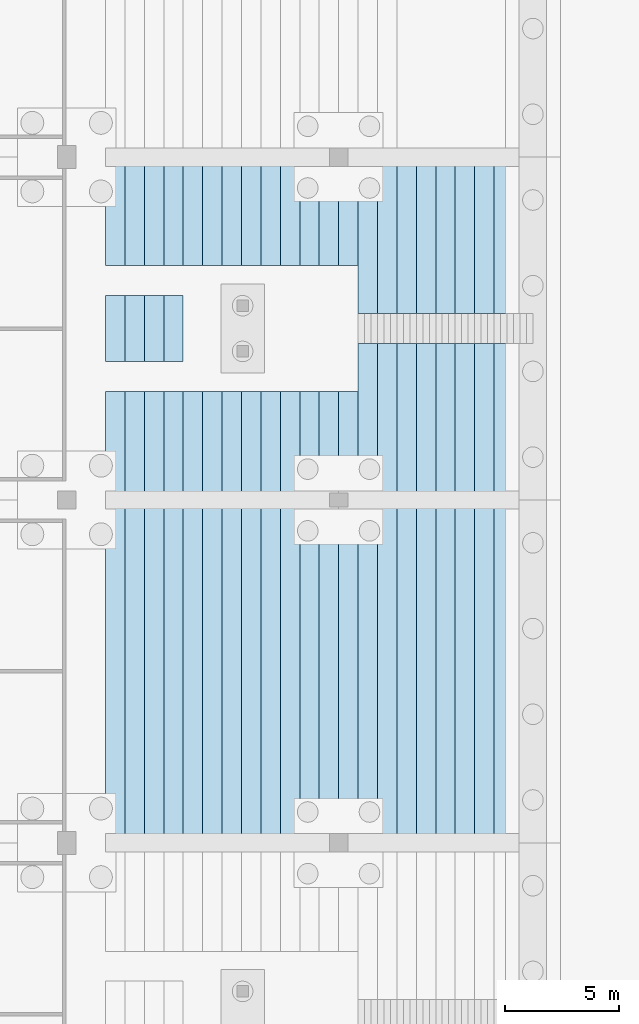
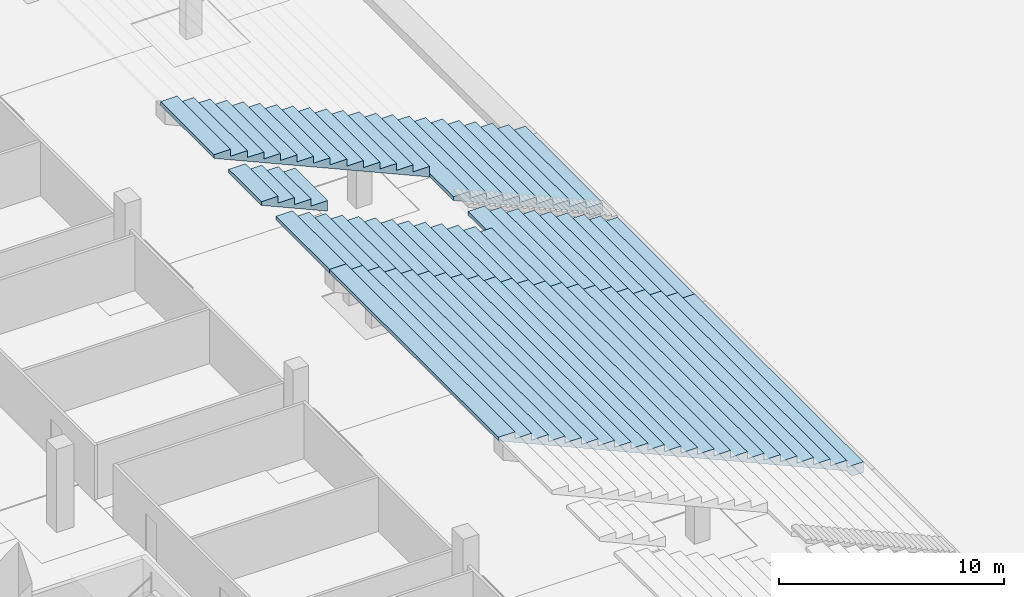
# One storey, part 48 of 115: 2 slabs.
"""IFC4 building model written with IfcOpenShell, lengths in metres."""

from ifc_helpers import new_model, si_unit, direction, frame, origin, place, context, subcontext, project, spatial, faceted_brep, material, layer, layer_set, type_object, element, save


model = new_model("IFC4")

# Units and contexts
model_context = context("Model", 3, precision=1e-05, world=origin(), true_north=direction((0.0, 1.0)))
body_context = subcontext(model_context, "Body", "Model", "MODEL_VIEW")
ifc_project = project(units=[si_unit("LENGTHUNIT", "METRE"), si_unit("AREAUNIT", "SQUARE_METRE"), si_unit("VOLUMEUNIT", "CUBIC_METRE"), si_unit("PLANEANGLEUNIT", "RADIAN"), si_unit("MASSUNIT", "GRAM", prefix="KILO")], contexts=[model_context])

# Site, building, storey
site_placement = place(None, origin())
site = spatial("IfcSite", under=ifc_project, at=site_placement, CompositionType="ELEMENT")
building_placement = place(site_placement, origin())
building = spatial("IfcBuilding", under=site, at=building_placement, Name="Ogive Plaza Stadium", CompositionType="ELEMENT")
storey_placement = place(building_placement, frame((0.0, 0.0, -4.5)))
storey = spatial("IfcBuildingStorey", under=building, at=storey_placement, Name="B1", CompositionType="ELEMENT", Elevation=-4.5)

# Slabs
ifc_material = material(Name="Concrete C45/55 precast", Category="concrete")
ifc_layer = layer(ifc_material, 0.574951171875)
ifc_layer_set = layer_set([ifc_layer], Name="Concrete C45/55 precast")
slab_type = type_object("IfcSlabType", Name="Seating tier LT 575", PredefinedType="USERDEFINED", material=ifc_layer_set)
slab_1_placement = place(storey_placement, origin())
element("IfcSlab", 1, at=slab_1_placement, inside=storey, type_object=slab_type, Name="Stand LT B22", ObjectType="SEATING TIER", PredefinedType="USERDEFINED", context=body_context, shape_type="Brep", body=[
    faceted_brep([(-41.5, -22.5, 1.125), (-42.10009765625, -22.5, 1.125), (-42.10009765625, -37.5, 1.125), (-41.5, -37.5, 1.125), (-42.35009765625, -22.5, 1.125), (-42.35009765625, -37.5, 1.125), (-42.10009765625, -22.5, 0.550048828125), (-41.5, -37.5, 0.550048828125), (-42.10009765625, -37.5, 0.550048828125), (-41.5, -22.5, 0.550048828125), (-42.35009765625, -37.5, 0.925048828125), (-42.35009765625, -37.5, 1.5), (-43.199951171875, -37.5, 1.5), (-43.199951171875, -37.5, 1.300048828125), (-43.199951171875, -37.5, 1.875), (-44.050048828125, -37.5, 1.875), (-44.050048828125, -37.5, 1.675048828125), (-44.050048828125, -37.5, 2.25), (-44.89990234375, -37.5, 2.25), (-44.89990234375, -37.5, 2.050048828125), (-44.89990234375, -37.5, 2.625), (-45.75, -37.5, 2.625), (-45.75, -37.5, 2.425048828125), (-45.75, -37.5, 3.0), (-46.60009765625, -37.5, 3.0), (-46.60009765625, -37.5, 2.800048828125), (-46.60009765625, -37.5, 3.375), (-47.449951171875, -37.5, 3.375), (-47.449951171875, -37.5, 3.175048828125), (-47.449951171875, -37.5, 3.75), (-48.300048828125, -37.5, 3.75), (-48.300048828125, -37.5, 3.550048828125), (-48.300048828125, -37.5, 4.125), (-49.14990234375, -37.5, 4.125), (-49.14990234375, -37.5, 3.925048828125), (-49.14990234375, -37.5, 4.5), (-50.0, -37.5, 4.5), (-50.0, -37.5, 4.300048828125), (-50.0, -37.5, 4.875), (-50.85009765625, -37.5, 4.875), (-50.85009765625, -37.5, 4.675048828125), (-50.85009765625, -37.5, 5.25), (-51.699951171875, -37.5, 5.25), (-51.699951171875, -37.5, 5.050048828125), (-51.699951171875, -37.5, 5.625), (-52.550048828125, -37.5, 5.625), (-52.550048828125, -37.5, 5.425048828125), (-52.550048828125, -37.5, 6.0), (-53.39990234375, -37.5, 6.0), (-53.39990234375, -37.5, 5.800048828125), (-53.39990234375, -37.5, 6.375), (-54.25, -37.5, 6.375), (-54.25, -37.5, 6.175048828125), (-54.25, -37.5, 6.75), (-55.10009765625, -37.5, 6.75), (-55.10009765625, -37.5, 6.550048828125), (-55.10009765625, -37.5, 7.125), (-55.949951171875, -37.5, 7.125), (-55.949951171875, -37.5, 6.925048828125), (-55.949951171875, -37.5, 7.5), (-56.800048828125, -37.5, 7.5), (-56.800048828125, -37.5, 7.300048828125), (-56.800048828125, -37.5, 7.875), (-57.64990234375, -37.5, 7.875), (-57.64990234375, -37.5, 7.675048828125), (-57.64990234375, -37.5, 8.25), (-58.5, -37.5, 8.25), (-58.5, -37.5, 8.050048828125), (-58.5, -37.5, 8.625), (-59.35009765625, -37.5, 8.625), (-59.35009765625, -37.5, 8.425048828125), (-59.35009765625, -37.5, 9.0), (-60.199951171875, -37.5, 9.0), (-60.199951171875, -37.5, 8.800048828125), (-42.35009765625, -22.5, 0.925048828125), (-43.199951171875, -22.5, 1.5), (-42.35009765625, -22.5, 1.5), (-43.199951171875, -22.5, 1.300048828125), (-44.050048828125, -22.5, 1.875), (-43.199951171875, -22.5, 1.875), (-44.050048828125, -22.5, 1.675048828125), (-44.89990234375, -22.5, 2.25), (-44.050048828125, -22.5, 2.25), (-44.89990234375, -22.5, 2.050048828125), (-45.75, -22.5, 2.625), (-44.89990234375, -22.5, 2.625), (-45.75, -22.5, 2.425048828125), (-46.60009765625, -22.5, 3.0), (-45.75, -22.5, 3.0), (-46.60009765625, -22.5, 2.800048828125), (-47.449951171875, -22.5, 3.375), (-46.60009765625, -22.5, 3.375), (-47.449951171875, -22.5, 3.175048828125), (-48.300048828125, -22.5, 3.75), (-47.449951171875, -22.5, 3.75), (-48.300048828125, -22.5, 3.550048828125), (-49.14990234375, -22.5, 4.125), (-48.300048828125, -22.5, 4.125), (-49.14990234375, -22.5, 3.925048828125), (-50.0, -22.5, 4.5), (-49.14990234375, -22.5, 4.5), (-50.0, -22.5, 4.300048828125), (-50.85009765625, -22.5, 4.875), (-50.0, -22.5, 4.875), (-50.85009765625, -22.5, 4.675048828125), (-51.699951171875, -22.5, 5.25), (-50.85009765625, -22.5, 5.25), (-51.699951171875, -22.5, 5.050048828125), (-52.550048828125, -22.5, 5.625), (-51.699951171875, -22.5, 5.625), (-52.550048828125, -22.5, 5.425048828125), (-53.39990234375, -22.5, 6.0), (-52.550048828125, -22.5, 6.0), (-53.39990234375, -22.5, 5.800048828125), (-54.25, -22.5, 6.375), (-53.39990234375, -22.5, 6.375), (-54.25, -22.5, 6.175048828125), (-55.10009765625, -22.5, 6.75), (-54.25, -22.5, 6.75), (-55.10009765625, -22.5, 6.550048828125), (-55.949951171875, -22.5, 7.125), (-55.10009765625, -22.5, 7.125), (-55.949951171875, -22.5, 6.925048828125), (-56.800048828125, -22.5, 7.5), (-55.949951171875, -22.5, 7.5), (-56.800048828125, -22.5, 7.300048828125), (-57.64990234375, -22.5, 7.875), (-56.800048828125, -22.5, 7.875), (-57.64990234375, -22.5, 7.675048828125), (-58.5, -22.5, 8.25), (-57.64990234375, -22.5, 8.25), (-58.5, -22.5, 8.050048828125), (-59.35009765625, -22.5, 8.625), (-58.5, -22.5, 8.625), (-59.35009765625, -22.5, 8.425048828125), (-60.199951171875, -22.5, 9.0), (-59.35009765625, -22.5, 9.0), (-60.199951171875, -22.5, 8.800048828125)], [[[0, 1, 2]], [[2, 3, 0]], [[1, 4, 5]], [[5, 2, 1]], [[6, 7, 8]], [[6, 9, 7]], [[2, 8, 7]], [[7, 3, 2]], [[10, 8, 2]], [[10, 2, 5]], [[5, 11, 12]], [[12, 13, 10]], [[10, 5, 12]], [[12, 14, 15]], [[15, 16, 13]], [[13, 12, 15]], [[15, 17, 18]], [[18, 19, 16]], [[16, 15, 18]], [[18, 20, 21]], [[21, 22, 19]], [[19, 18, 21]], [[21, 23, 24]], [[24, 25, 22]], [[22, 21, 24]], [[24, 26, 27]], [[27, 28, 25]], [[25, 24, 27]], [[27, 29, 30]], [[30, 31, 28]], [[28, 27, 30]], [[30, 32, 33]], [[33, 34, 31]], [[31, 30, 33]], [[33, 35, 36]], [[36, 37, 34]], [[34, 33, 36]], [[36, 38, 39]], [[39, 40, 37]], [[37, 36, 39]], [[39, 41, 42]], [[42, 43, 40]], [[40, 39, 42]], [[42, 44, 45]], [[45, 46, 43]], [[43, 42, 45]], [[45, 47, 48]], [[48, 49, 46]], [[46, 45, 48]], [[48, 50, 51]], [[51, 52, 49]], [[49, 48, 51]], [[51, 53, 54]], [[54, 55, 52]], [[52, 51, 54]], [[54, 56, 57]], [[57, 58, 55]], [[55, 54, 57]], [[57, 59, 60]], [[60, 61, 58]], [[58, 57, 60]], [[60, 62, 63]], [[63, 64, 61]], [[61, 60, 63]], [[63, 65, 66]], [[66, 67, 64]], [[64, 63, 66]], [[66, 68, 69]], [[69, 70, 67]], [[67, 66, 69]], [[69, 71, 72]], [[72, 73, 70]], [[70, 69, 72]], [[3, 7, 9]], [[9, 0, 3]], [[0, 9, 6]], [[6, 1, 0]], [[1, 6, 74]], [[74, 4, 1]], [[75, 76, 4]], [[4, 74, 77]], [[77, 75, 4]], [[78, 79, 75]], [[75, 77, 80]], [[80, 78, 75]], [[81, 82, 78]], [[78, 80, 83]], [[83, 81, 78]], [[84, 85, 81]], [[81, 83, 86]], [[86, 84, 81]], [[87, 88, 84]], [[84, 86, 89]], [[89, 87, 84]], [[90, 91, 87]], [[87, 89, 92]], [[92, 90, 87]], [[93, 94, 90]], [[90, 92, 95]], [[95, 93, 90]], [[96, 97, 93]], [[93, 95, 98]], [[98, 96, 93]], [[99, 100, 96]], [[96, 98, 101]], [[101, 99, 96]], [[102, 103, 99]], [[99, 101, 104]], [[104, 102, 99]], [[105, 106, 102]], [[102, 104, 107]], [[107, 105, 102]], [[108, 109, 105]], [[105, 107, 110]], [[110, 108, 105]], [[111, 112, 108]], [[108, 110, 113]], [[113, 111, 108]], [[114, 115, 111]], [[111, 113, 116]], [[116, 114, 111]], [[117, 118, 114]], [[114, 116, 119]], [[119, 117, 114]], [[120, 121, 117]], [[117, 119, 122]], [[122, 120, 117]], [[123, 124, 120]], [[120, 122, 125]], [[125, 123, 120]], [[126, 127, 123]], [[123, 125, 128]], [[128, 126, 123]], [[129, 130, 126]], [[126, 128, 131]], [[131, 129, 126]], [[132, 133, 129]], [[129, 131, 134]], [[134, 132, 129]], [[135, 136, 132]], [[132, 134, 137]], [[137, 135, 132]], [[74, 8, 10]], [[74, 6, 8]], [[11, 5, 4]], [[4, 76, 11]], [[76, 75, 12]], [[12, 11, 76]], [[77, 10, 13]], [[77, 74, 10]], [[80, 13, 16]], [[80, 77, 13]], [[83, 16, 19]], [[83, 80, 16]], [[86, 19, 22]], [[86, 83, 19]], [[89, 22, 25]], [[89, 86, 22]], [[92, 25, 28]], [[92, 89, 25]], [[95, 28, 31]], [[95, 92, 28]], [[98, 31, 34]], [[98, 95, 31]], [[101, 34, 37]], [[101, 98, 34]], [[104, 37, 40]], [[104, 101, 37]], [[107, 40, 43]], [[107, 104, 40]], [[110, 43, 46]], [[110, 107, 43]], [[113, 46, 49]], [[113, 110, 46]], [[116, 49, 52]], [[116, 113, 49]], [[119, 52, 55]], [[119, 116, 52]], [[122, 55, 58]], [[122, 119, 55]], [[125, 58, 61]], [[125, 122, 58]], [[128, 61, 64]], [[128, 125, 61]], [[14, 12, 75]], [[75, 79, 14]], [[79, 78, 15]], [[15, 14, 79]], [[17, 15, 78]], [[78, 82, 17]], [[82, 81, 18]], [[18, 17, 82]], [[20, 18, 81]], [[81, 85, 20]], [[85, 84, 21]], [[21, 20, 85]], [[23, 21, 84]], [[84, 88, 23]], [[88, 87, 24]], [[24, 23, 88]], [[26, 24, 87]], [[87, 91, 26]], [[91, 90, 27]], [[27, 26, 91]], [[29, 27, 90]], [[90, 94, 29]], [[94, 93, 30]], [[30, 29, 94]], [[32, 30, 93]], [[93, 97, 32]], [[97, 96, 33]], [[33, 32, 97]], [[35, 33, 96]], [[96, 100, 35]], [[100, 99, 36]], [[36, 35, 100]], [[38, 36, 99]], [[99, 103, 38]], [[103, 102, 39]], [[39, 38, 103]], [[41, 39, 102]], [[102, 106, 41]], [[106, 105, 42]], [[42, 41, 106]], [[44, 42, 105]], [[105, 109, 44]], [[109, 108, 45]], [[45, 44, 109]], [[47, 45, 108]], [[108, 112, 47]], [[112, 111, 48]], [[48, 47, 112]], [[50, 48, 111]], [[111, 115, 50]], [[115, 114, 51]], [[51, 50, 115]], [[53, 51, 114]], [[114, 118, 53]], [[118, 117, 54]], [[54, 53, 118]], [[56, 54, 117]], [[117, 121, 56]], [[121, 120, 57]], [[57, 56, 121]], [[59, 57, 120]], [[120, 124, 59]], [[124, 123, 60]], [[60, 59, 124]], [[62, 60, 123]], [[123, 127, 62]], [[127, 126, 63]], [[63, 62, 127]], [[65, 63, 126]], [[126, 130, 65]], [[130, 129, 66]], [[66, 65, 130]], [[131, 64, 67]], [[131, 128, 64]], [[134, 67, 70]], [[134, 131, 67]], [[137, 70, 73]], [[137, 134, 70]], [[68, 66, 129]], [[129, 133, 68]], [[133, 132, 69]], [[69, 68, 133]], [[71, 69, 132]], [[132, 136, 71]], [[136, 135, 72]], [[72, 71, 136]], [[135, 137, 73]], [[73, 72, 135]]]),
])
slab_2_placement = place(storey_placement, origin())
element("IfcSlab", 2, at=slab_2_placement, inside=storey, type_object=slab_type, Name="Stand LT B23", ObjectType="SEATING TIER", PredefinedType="USERDEFINED", context=body_context, shape_type="Brep", body=[
    faceted_brep([(-41.5, -15.64990234375, 1.125), (-42.10009765625, -15.64990234375, 1.125), (-42.10009765625, -22.5, 1.125), (-41.5, -22.5, 1.125), (-41.5, -7.5, 1.125), (-42.10009765625, -7.5, 1.125), (-42.10009765625, -14.35009765625, 1.125), (-41.5, -14.35009765625, 1.125), (-42.35009765625, -15.64990234375, 1.125), (-42.35009765625, -22.5, 1.125), (-42.35009765625, -7.5, 1.125), (-42.35009765625, -14.35009765625, 1.125), (-42.10009765625, -15.64990234375, 0.550048828125), (-41.5, -22.5, 0.550048828125), (-42.10009765625, -22.5, 0.550048828125), (-41.5, -15.64990234375, 0.550048828125), (-42.10009765625, -7.5, 0.550048828125), (-41.5, -14.35009765625, 0.550048828125), (-42.10009765625, -14.35009765625, 0.550048828125), (-41.5, -7.5, 0.550048828125), (-42.35009765625, -22.5, 0.925048828125), (-42.35009765625, -22.5, 1.5), (-43.199951171875, -22.5, 1.5), (-43.199951171875, -22.5, 1.300048828125), (-43.199951171875, -22.5, 1.875), (-44.050048828125, -22.5, 1.875), (-44.050048828125, -22.5, 1.675048828125), (-44.050048828125, -22.5, 2.25), (-44.89990234375, -22.5, 2.25), (-44.89990234375, -22.5, 2.050048828125), (-44.89990234375, -22.5, 2.625), (-45.75, -22.5, 2.625), (-45.75, -22.5, 2.425048828125), (-45.75, -22.5, 3.0), (-46.60009765625, -22.5, 3.0), (-46.60009765625, -22.5, 2.800048828125), (-46.60009765625, -22.5, 3.375), (-47.449951171875, -22.5, 3.375), (-47.449951171875, -22.5, 3.175048828125), (-47.449951171875, -22.5, 3.75), (-48.300048828125, -22.5, 3.75), (-48.300048828125, -22.5, 3.550048828125), (-48.300048828125, -22.5, 4.125), (-49.14990234375, -22.5, 4.125), (-49.14990234375, -22.5, 3.925048828125), (-49.14990234375, -22.5, 4.5), (-50.0, -22.5, 4.5), (-50.0, -22.5, 4.300048828125), (-50.0, -22.5, 4.875), (-50.85009765625, -22.5, 4.875), (-50.85009765625, -22.5, 4.675048828125), (-50.85009765625, -22.5, 5.25), (-51.699951171875, -22.5, 5.25), (-51.699951171875, -22.5, 5.050048828125), (-51.699951171875, -22.5, 5.625), (-52.550048828125, -22.5, 5.625), (-52.550048828125, -22.5, 5.425048828125), (-52.550048828125, -22.5, 6.0), (-53.39990234375, -22.5, 6.0), (-53.39990234375, -22.5, 5.800048828125), (-53.39990234375, -22.5, 6.375), (-54.25, -22.5, 6.375), (-54.25, -22.5, 6.175048828125), (-54.25, -22.5, 6.75), (-55.10009765625, -22.5, 6.75), (-55.10009765625, -22.5, 6.550048828125), (-55.10009765625, -22.5, 7.125), (-55.949951171875, -22.5, 7.125), (-55.949951171875, -22.5, 6.925048828125), (-55.949951171875, -22.5, 7.5), (-56.800048828125, -22.5, 7.5), (-56.800048828125, -22.5, 7.300048828125), (-56.800048828125, -22.5, 7.875), (-57.64990234375, -22.5, 7.875), (-57.64990234375, -22.5, 7.675048828125), (-57.64990234375, -22.5, 8.25), (-58.5, -22.5, 8.25), (-58.5, -22.5, 8.050048828125), (-58.5, -22.5, 8.625), (-59.35009765625, -22.5, 8.625), (-59.35009765625, -22.5, 8.425048828125), (-59.35009765625, -22.5, 9.0), (-60.199951171875, -22.5, 9.0), (-60.199951171875, -22.5, 8.800048828125), (-42.35009765625, -15.64990234375, 0.925048828125), (-43.199951171875, -15.64990234375, 1.5), (-42.35009765625, -15.64990234375, 1.5), (-43.199951171875, -15.64990234375, 1.300048828125), (-44.050048828125, -15.64990234375, 1.875), (-43.199951171875, -15.64990234375, 1.875), (-44.050048828125, -15.64990234375, 1.675048828125), (-44.89990234375, -15.64990234375, 2.25), (-44.050048828125, -15.64990234375, 2.25), (-44.89990234375, -15.64990234375, 2.050048828125), (-45.75, -15.64990234375, 2.625), (-44.89990234375, -15.64990234375, 2.625), (-45.75, -15.64990234375, 2.425048828125), (-46.60009765625, -15.64990234375, 3.0), (-45.75, -15.64990234375, 3.0), (-46.60009765625, -15.64990234375, 2.800048828125), (-47.449951171875, -15.64990234375, 3.375), (-46.60009765625, -15.64990234375, 3.375), (-47.449951171875, -15.64990234375, 3.175048828125), (-48.300048828125, -15.64990234375, 3.75), (-47.449951171875, -15.64990234375, 3.75), (-48.300048828125, -15.64990234375, 3.550048828125), (-49.14990234375, -15.64990234375, 4.125), (-48.300048828125, -15.64990234375, 4.125), (-49.14990234375, -15.64990234375, 3.925048828125), (-42.35009765625, -14.35009765625, 0.925048828125), (-42.35009765625, -14.35009765625, 1.5), (-43.199951171875, -14.35009765625, 1.5), (-43.199951171875, -14.35009765625, 1.300048828125), (-43.199951171875, -14.35009765625, 1.875), (-44.050048828125, -14.35009765625, 1.875), (-44.050048828125, -14.35009765625, 1.675048828125), (-44.050048828125, -14.35009765625, 2.25), (-44.89990234375, -14.35009765625, 2.25), (-44.89990234375, -14.35009765625, 2.050048828125), (-44.89990234375, -14.35009765625, 2.625), (-45.75, -14.35009765625, 2.625), (-45.75, -14.35009765625, 2.425048828125), (-45.75, -14.35009765625, 3.0), (-46.60009765625, -14.35009765625, 3.0), (-46.60009765625, -14.35009765625, 2.800048828125), (-46.60009765625, -14.35009765625, 3.375), (-47.449951171875, -14.35009765625, 3.375), (-47.449951171875, -14.35009765625, 3.175048828125), (-47.449951171875, -14.35009765625, 3.75), (-48.300048828125, -14.35009765625, 3.75), (-48.300048828125, -14.35009765625, 3.550048828125), (-48.300048828125, -14.35009765625, 4.125), (-49.14990234375, -14.35009765625, 4.125), (-49.14990234375, -14.35009765625, 3.925048828125), (-42.35009765625, -7.5, 0.925048828125), (-43.199951171875, -7.5, 1.5), (-42.35009765625, -7.5, 1.5), (-43.199951171875, -7.5, 1.300048828125), (-44.050048828125, -7.5, 1.875), (-43.199951171875, -7.5, 1.875), (-44.050048828125, -7.5, 1.675048828125), (-44.89990234375, -7.5, 2.25), (-44.050048828125, -7.5, 2.25), (-44.89990234375, -7.5, 2.050048828125), (-45.75, -7.5, 2.625), (-44.89990234375, -7.5, 2.625), (-45.75, -7.5, 2.425048828125), (-46.60009765625, -7.5, 3.0), (-45.75, -7.5, 3.0), (-46.60009765625, -7.5, 2.800048828125), (-47.449951171875, -7.5, 3.375), (-46.60009765625, -7.5, 3.375), (-47.449951171875, -7.5, 3.175048828125), (-48.300048828125, -7.5, 3.75), (-47.449951171875, -7.5, 3.75), (-48.300048828125, -7.5, 3.550048828125), (-49.14990234375, -7.5, 4.125), (-48.300048828125, -7.5, 4.125), (-49.14990234375, -7.5, 3.925048828125), (-50.0, -7.5, 4.5), (-49.14990234375, -7.5, 4.5), (-50.0, -7.5, 4.300048828125), (-50.85009765625, -7.5, 4.875), (-50.0, -7.5, 4.875), (-50.85009765625, -7.5, 4.675048828125), (-51.699951171875, -7.5, 5.25), (-50.85009765625, -7.5, 5.25), (-51.699951171875, -7.5, 5.050048828125), (-52.550048828125, -7.5, 5.625), (-51.699951171875, -7.5, 5.625), (-52.550048828125, -7.5, 5.425048828125), (-53.39990234375, -7.5, 6.0), (-52.550048828125, -7.5, 6.0), (-53.39990234375, -7.5, 5.800048828125), (-54.25, -7.5, 6.375), (-53.39990234375, -7.5, 6.375), (-54.25, -7.5, 6.175048828125), (-55.10009765625, -7.5, 6.75), (-54.25, -7.5, 6.75), (-55.10009765625, -7.5, 6.550048828125), (-55.949951171875, -7.5, 7.125), (-55.10009765625, -7.5, 7.125), (-55.949951171875, -7.5, 6.925048828125), (-56.800048828125, -7.5, 7.5), (-55.949951171875, -7.5, 7.5), (-56.800048828125, -7.5, 7.300048828125), (-57.64990234375, -7.5, 7.875), (-56.800048828125, -7.5, 7.875), (-57.64990234375, -7.5, 7.675048828125), (-58.5, -7.5, 8.25), (-57.64990234375, -7.5, 8.25), (-58.5, -7.5, 8.050048828125), (-59.35009765625, -7.5, 8.625), (-58.5, -7.5, 8.625), (-59.35009765625, -7.5, 8.425048828125), (-60.199951171875, -7.5, 9.0), (-59.35009765625, -7.5, 9.0), (-60.199951171875, -7.5, 8.800048828125), (-49.14990234375, -17.75, 3.925048828125), (-49.14990234375, -12.25, 3.925048828125), (-50.0, -17.75, 4.300048828125), (-50.0, -12.25, 4.300048828125), (-50.85009765625, -17.75, 4.675048828125), (-50.85009765625, -12.25, 4.675048828125), (-51.699951171875, -17.75, 5.050048828125), (-51.699951171875, -12.25, 5.050048828125), (-52.550048828125, -17.75, 5.425048828125), (-52.550048828125, -12.25, 5.425048828125), (-53.39990234375, -17.75, 5.800048828125), (-53.39990234375, -12.25, 5.800048828125), (-54.25, -17.75, 6.175048828125), (-54.25, -12.25, 6.175048828125), (-55.10009765625, -17.75, 6.550048828125), (-55.10009765625, -12.25, 6.550048828125), (-55.949951171875, -17.75, 6.925048828125), (-55.949951171875, -12.25, 6.925048828125), (-56.800048828125, -17.75, 7.300048828125), (-56.800048828125, -12.25, 7.300048828125), (-57.64990234375, -17.75, 7.675048828125), (-57.64990234375, -13.550048828125, 7.675048828125), (-56.800048828125, -16.449951171875, 7.300048828125), (-57.64990234375, -16.449951171875, 7.675048828125), (-56.800048828125, -13.550048828125, 7.300048828125), (-57.64990234375, -12.25, 7.675048828125), (-49.14990234375, -17.75, 4.125), (-49.14990234375, -12.25, 4.125), (-49.14990234375, -17.75, 4.5), (-49.14990234375, -12.25, 4.5), (-50.0, -17.75, 4.5), (-50.0, -12.25, 4.5), (-50.0, -17.75, 4.875), (-50.0, -12.25, 4.875), (-50.85009765625, -17.75, 4.875), (-51.699951171875, -17.75, 5.25), (-50.85009765625, -17.75, 5.25), (-52.550048828125, -17.75, 5.625), (-51.699951171875, -17.75, 5.625), (-53.39990234375, -17.75, 6.0), (-52.550048828125, -17.75, 6.0), (-54.25, -17.75, 6.375), (-53.39990234375, -17.75, 6.375), (-55.10009765625, -17.75, 6.75), (-54.25, -17.75, 6.75), (-55.949951171875, -17.75, 7.125), (-55.10009765625, -17.75, 7.125), (-56.800048828125, -17.75, 7.5), (-55.949951171875, -17.75, 7.5), (-57.64990234375, -17.75, 7.875), (-56.800048828125, -17.75, 7.875), (-58.5, -17.75, 8.25), (-57.64990234375, -17.75, 8.25), (-58.5, -17.75, 8.050048828125), (-59.35009765625, -17.75, 8.625), (-58.5, -17.75, 8.625), (-59.35009765625, -17.75, 8.425048828125), (-60.199951171875, -17.75, 9.0), (-59.35009765625, -17.75, 9.0), (-60.199951171875, -17.75, 8.800048828125), (-50.85009765625, -12.25, 4.875), (-50.85009765625, -12.25, 5.25), (-51.699951171875, -12.25, 5.25), (-51.699951171875, -12.25, 5.625), (-52.550048828125, -12.25, 5.625), (-52.550048828125, -12.25, 6.0), (-53.39990234375, -12.25, 6.0), (-53.39990234375, -12.25, 6.375), (-54.25, -12.25, 6.375), (-54.25, -12.25, 6.75), (-55.10009765625, -12.25, 6.75), (-55.10009765625, -12.25, 7.125), (-55.949951171875, -12.25, 7.125), (-55.949951171875, -12.25, 7.5), (-56.800048828125, -12.25, 7.5), (-56.800048828125, -12.25, 7.875), (-57.64990234375, -12.25, 7.875), (-57.64990234375, -12.25, 8.25), (-58.5, -12.25, 8.25), (-58.5, -12.25, 8.050048828125), (-58.5, -12.25, 8.625), (-59.35009765625, -12.25, 8.625), (-59.35009765625, -12.25, 8.425048828125), (-59.35009765625, -12.25, 9.0), (-60.199951171875, -12.25, 9.0), (-60.199951171875, -12.25, 8.800048828125), (-56.800048828125, -16.449951171875, 7.875), (-56.800048828125, -13.550048828125, 7.875), (-57.64990234375, -13.550048828125, 7.875), (-57.64990234375, -16.449951171875, 7.875), (-57.64990234375, -16.449951171875, 8.25), (-57.64990234375, -13.550048828125, 8.25), (-58.5, -16.449951171875, 8.25), (-58.5, -16.449951171875, 8.050048828125), (-58.5, -16.449951171875, 8.625), (-59.35009765625, -16.449951171875, 8.625), (-59.35009765625, -16.449951171875, 8.425048828125), (-59.35009765625, -16.449951171875, 9.0), (-60.199951171875, -16.449951171875, 9.0), (-60.199951171875, -16.449951171875, 8.800048828125), (-58.5, -13.550048828125, 8.25), (-58.5, -13.550048828125, 8.050048828125), (-59.35009765625, -13.550048828125, 8.625), (-58.5, -13.550048828125, 8.625), (-59.35009765625, -13.550048828125, 8.425048828125), (-60.199951171875, -13.550048828125, 9.0), (-59.35009765625, -13.550048828125, 9.0), (-60.199951171875, -13.550048828125, 8.800048828125)], [[[0, 1, 2]], [[2, 3, 0]], [[4, 5, 6]], [[6, 7, 4]], [[1, 8, 9]], [[9, 2, 1]], [[5, 10, 11]], [[11, 6, 5]], [[12, 13, 14]], [[12, 15, 13]], [[16, 17, 18]], [[16, 19, 17]], [[2, 14, 13]], [[13, 3, 2]], [[20, 14, 2]], [[20, 2, 9]], [[9, 21, 22]], [[22, 23, 20]], [[20, 9, 22]], [[22, 24, 25]], [[25, 26, 23]], [[23, 22, 25]], [[25, 27, 28]], [[28, 29, 26]], [[26, 25, 28]], [[28, 30, 31]], [[31, 32, 29]], [[29, 28, 31]], [[31, 33, 34]], [[34, 35, 32]], [[32, 31, 34]], [[34, 36, 37]], [[37, 38, 35]], [[35, 34, 37]], [[37, 39, 40]], [[40, 41, 38]], [[38, 37, 40]], [[40, 42, 43]], [[43, 44, 41]], [[41, 40, 43]], [[43, 45, 46]], [[46, 47, 44]], [[44, 43, 46]], [[46, 48, 49]], [[49, 50, 47]], [[47, 46, 49]], [[49, 51, 52]], [[52, 53, 50]], [[50, 49, 52]], [[52, 54, 55]], [[55, 56, 53]], [[53, 52, 55]], [[55, 57, 58]], [[58, 59, 56]], [[56, 55, 58]], [[58, 60, 61]], [[61, 62, 59]], [[59, 58, 61]], [[61, 63, 64]], [[64, 65, 62]], [[62, 61, 64]], [[64, 66, 67]], [[67, 68, 65]], [[65, 64, 67]], [[67, 69, 70]], [[70, 71, 68]], [[68, 67, 70]], [[70, 72, 73]], [[73, 74, 71]], [[71, 70, 73]], [[73, 75, 76]], [[76, 77, 74]], [[74, 73, 76]], [[76, 78, 79]], [[79, 80, 77]], [[77, 76, 79]], [[79, 81, 82]], [[82, 83, 80]], [[80, 79, 82]], [[3, 13, 15]], [[15, 0, 3]], [[7, 17, 19]], [[19, 4, 7]], [[0, 15, 12]], [[12, 1, 0]], [[1, 12, 84]], [[84, 8, 1]], [[85, 86, 8]], [[8, 84, 87]], [[87, 85, 8]], [[88, 89, 85]], [[85, 87, 90]], [[90, 88, 85]], [[91, 92, 88]], [[88, 90, 93]], [[93, 91, 88]], [[94, 95, 91]], [[91, 93, 96]], [[96, 94, 91]], [[97, 98, 94]], [[94, 96, 99]], [[99, 97, 94]], [[100, 101, 97]], [[97, 99, 102]], [[102, 100, 97]], [[103, 104, 100]], [[100, 102, 105]], [[105, 103, 100]], [[106, 107, 103]], [[103, 105, 108]], [[108, 106, 103]], [[6, 18, 17]], [[17, 7, 6]], [[109, 18, 6]], [[109, 6, 11]], [[11, 110, 111]], [[111, 112, 109]], [[109, 11, 111]], [[111, 113, 114]], [[114, 115, 112]], [[112, 111, 114]], [[114, 116, 117]], [[117, 118, 115]], [[115, 114, 117]], [[117, 119, 120]], [[120, 121, 118]], [[118, 117, 120]], [[120, 122, 123]], [[123, 124, 121]], [[121, 120, 123]], [[123, 125, 126]], [[126, 127, 124]], [[124, 123, 126]], [[126, 128, 129]], [[129, 130, 127]], [[127, 126, 129]], [[129, 131, 132]], [[132, 133, 130]], [[130, 129, 132]], [[4, 19, 16]], [[16, 5, 4]], [[5, 16, 134]], [[134, 10, 5]], [[135, 136, 10]], [[10, 134, 137]], [[137, 135, 10]], [[138, 139, 135]], [[135, 137, 140]], [[140, 138, 135]], [[141, 142, 138]], [[138, 140, 143]], [[143, 141, 138]], [[144, 145, 141]], [[141, 143, 146]], [[146, 144, 141]], [[147, 148, 144]], [[144, 146, 149]], [[149, 147, 144]], [[150, 151, 147]], [[147, 149, 152]], [[152, 150, 147]], [[153, 154, 150]], [[150, 152, 155]], [[155, 153, 150]], [[156, 157, 153]], [[153, 155, 158]], [[158, 156, 153]], [[159, 160, 156]], [[156, 158, 161]], [[161, 159, 156]], [[162, 163, 159]], [[159, 161, 164]], [[164, 162, 159]], [[165, 166, 162]], [[162, 164, 167]], [[167, 165, 162]], [[168, 169, 165]], [[165, 167, 170]], [[170, 168, 165]], [[171, 172, 168]], [[168, 170, 173]], [[173, 171, 168]], [[174, 175, 171]], [[171, 173, 176]], [[176, 174, 171]], [[177, 178, 174]], [[174, 176, 179]], [[179, 177, 174]], [[180, 181, 177]], [[177, 179, 182]], [[182, 180, 177]], [[183, 184, 180]], [[180, 182, 185]], [[185, 183, 180]], [[186, 187, 183]], [[183, 185, 188]], [[188, 186, 183]], [[189, 190, 186]], [[186, 188, 191]], [[191, 189, 186]], [[192, 193, 189]], [[189, 191, 194]], [[194, 192, 189]], [[195, 196, 192]], [[192, 194, 197]], [[197, 195, 192]], [[84, 14, 20]], [[84, 12, 14]], [[134, 18, 109]], [[134, 16, 18]], [[21, 9, 8]], [[8, 86, 21]], [[110, 11, 10]], [[10, 136, 110]], [[86, 85, 22]], [[22, 21, 86]], [[136, 135, 111]], [[111, 110, 136]], [[87, 20, 23]], [[87, 84, 20]], [[137, 109, 112]], [[137, 134, 109]], [[90, 23, 26]], [[90, 87, 23]], [[140, 112, 115]], [[140, 137, 112]], [[93, 26, 29]], [[93, 90, 26]], [[143, 115, 118]], [[143, 140, 115]], [[96, 29, 32]], [[96, 93, 29]], [[146, 118, 121]], [[146, 143, 118]], [[99, 32, 35]], [[99, 96, 32]], [[149, 121, 124]], [[149, 146, 121]], [[102, 35, 38]], [[102, 99, 35]], [[152, 124, 127]], [[152, 149, 124]], [[105, 38, 41]], [[105, 102, 38]], [[155, 127, 130]], [[155, 152, 127]], [[41, 44, 198]], [[108, 41, 198]], [[108, 105, 41]], [[199, 158, 130]], [[130, 133, 199]], [[158, 155, 130]], [[200, 44, 47]], [[200, 198, 44]], [[161, 199, 201]], [[161, 158, 199]], [[202, 47, 50]], [[202, 200, 47]], [[164, 201, 203]], [[164, 161, 201]], [[204, 50, 53]], [[204, 202, 50]], [[167, 203, 205]], [[167, 164, 203]], [[206, 53, 56]], [[206, 204, 53]], [[170, 205, 207]], [[170, 167, 205]], [[208, 56, 59]], [[208, 206, 56]], [[173, 207, 209]], [[173, 170, 207]], [[210, 59, 62]], [[210, 208, 59]], [[176, 209, 211]], [[176, 173, 209]], [[212, 62, 65]], [[212, 210, 62]], [[179, 211, 213]], [[179, 176, 211]], [[214, 65, 68]], [[214, 212, 65]], [[182, 213, 215]], [[182, 179, 213]], [[216, 68, 71]], [[216, 214, 68]], [[185, 215, 217]], [[185, 182, 215]], [[218, 71, 74]], [[218, 216, 71]], [[219, 220, 221]], [[219, 222, 220]], [[188, 217, 223]], [[188, 185, 217]], [[24, 22, 85]], [[85, 89, 24]], [[113, 111, 135]], [[135, 139, 113]], [[89, 88, 25]], [[25, 24, 89]], [[139, 138, 114]], [[114, 113, 139]], [[27, 25, 88]], [[88, 92, 27]], [[116, 114, 138]], [[138, 142, 116]], [[92, 91, 28]], [[28, 27, 92]], [[142, 141, 117]], [[117, 116, 142]], [[30, 28, 91]], [[91, 95, 30]], [[119, 117, 141]], [[141, 145, 119]], [[95, 94, 31]], [[31, 30, 95]], [[145, 144, 120]], [[120, 119, 145]], [[33, 31, 94]], [[94, 98, 33]], [[122, 120, 144]], [[144, 148, 122]], [[98, 97, 34]], [[34, 33, 98]], [[148, 147, 123]], [[123, 122, 148]], [[36, 34, 97]], [[97, 101, 36]], [[125, 123, 147]], [[147, 151, 125]], [[101, 100, 37]], [[37, 36, 101]], [[151, 150, 126]], [[126, 125, 151]], [[39, 37, 100]], [[100, 104, 39]], [[128, 126, 150]], [[150, 154, 128]], [[104, 103, 40]], [[40, 39, 104]], [[154, 153, 129]], [[129, 128, 154]], [[42, 40, 103]], [[103, 107, 42]], [[131, 129, 153]], [[153, 157, 131]], [[43, 42, 107]], [[224, 43, 107]], [[106, 224, 107]], [[132, 131, 157]], [[157, 156, 225]], [[225, 132, 157]], [[108, 198, 224]], [[224, 106, 108]], [[199, 133, 132]], [[132, 225, 199]], [[45, 43, 224]], [[224, 226, 45]], [[227, 225, 156]], [[156, 160, 227]], [[226, 228, 46]], [[46, 45, 226]], [[160, 159, 229]], [[229, 227, 160]], [[48, 46, 228]], [[228, 230, 48]], [[231, 229, 159]], [[159, 163, 231]], [[228, 226, 224]], [[224, 198, 200]], [[200, 228, 224]], [[232, 230, 228]], [[228, 200, 202]], [[202, 232, 228]], [[233, 234, 232]], [[232, 202, 204]], [[204, 233, 232]], [[235, 236, 233]], [[233, 204, 206]], [[206, 235, 233]], [[237, 238, 235]], [[235, 206, 208]], [[208, 237, 235]], [[239, 240, 237]], [[237, 208, 210]], [[210, 239, 237]], [[241, 242, 239]], [[239, 210, 212]], [[212, 241, 239]], [[243, 244, 241]], [[241, 212, 214]], [[214, 243, 241]], [[245, 246, 243]], [[243, 214, 216]], [[216, 245, 243]], [[247, 248, 245]], [[245, 216, 218]], [[218, 247, 245]], [[249, 250, 247]], [[247, 218, 251]], [[251, 249, 247]], [[252, 253, 249]], [[249, 251, 254]], [[254, 252, 249]], [[255, 256, 252]], [[252, 254, 257]], [[257, 255, 252]], [[225, 227, 229]], [[229, 201, 199]], [[199, 225, 229]], [[229, 231, 258]], [[258, 203, 201]], [[201, 229, 258]], [[258, 259, 260]], [[260, 205, 203]], [[203, 258, 260]], [[260, 261, 262]], [[262, 207, 205]], [[205, 260, 262]], [[262, 263, 264]], [[264, 209, 207]], [[207, 262, 264]], [[264, 265, 266]], [[266, 211, 209]], [[209, 264, 266]], [[266, 267, 268]], [[268, 213, 211]], [[211, 266, 268]], [[268, 269, 270]], [[270, 215, 213]], [[213, 268, 270]], [[270, 271, 272]], [[272, 217, 215]], [[215, 270, 272]], [[272, 273, 274]], [[274, 223, 217]], [[217, 272, 274]], [[274, 275, 276]], [[276, 277, 223]], [[223, 274, 276]], [[276, 278, 279]], [[279, 280, 277]], [[277, 276, 279]], [[279, 281, 282]], [[282, 283, 280]], [[280, 279, 282]], [[230, 232, 49]], [[49, 48, 230]], [[163, 162, 258]], [[258, 231, 163]], [[51, 49, 232]], [[232, 234, 51]], [[259, 258, 162]], [[162, 166, 259]], [[234, 233, 52]], [[52, 51, 234]], [[166, 165, 260]], [[260, 259, 166]], [[54, 52, 233]], [[233, 236, 54]], [[261, 260, 165]], [[165, 169, 261]], [[236, 235, 55]], [[55, 54, 236]], [[169, 168, 262]], [[262, 261, 169]], [[57, 55, 235]], [[235, 238, 57]], [[263, 262, 168]], [[168, 172, 263]], [[238, 237, 58]], [[58, 57, 238]], [[172, 171, 264]], [[264, 263, 172]], [[60, 58, 237]], [[237, 240, 60]], [[265, 264, 171]], [[171, 175, 265]], [[240, 239, 61]], [[61, 60, 240]], [[175, 174, 266]], [[266, 265, 175]], [[63, 61, 239]], [[239, 242, 63]], [[267, 266, 174]], [[174, 178, 267]], [[242, 241, 64]], [[64, 63, 242]], [[178, 177, 268]], [[268, 267, 178]], [[66, 64, 241]], [[241, 244, 66]], [[269, 268, 177]], [[177, 181, 269]], [[244, 243, 67]], [[67, 66, 244]], [[181, 180, 270]], [[270, 269, 181]], [[69, 67, 243]], [[243, 246, 69]], [[271, 270, 180]], [[180, 184, 271]], [[246, 245, 70]], [[70, 69, 246]], [[184, 183, 272]], [[272, 271, 184]], [[72, 70, 245]], [[245, 248, 72]], [[284, 220, 222]], [[222, 285, 284]], [[273, 272, 183]], [[183, 187, 273]], [[248, 247, 73]], [[73, 72, 248]], [[285, 286, 287]], [[287, 284, 285]], [[187, 186, 274]], [[274, 273, 187]], [[75, 73, 247]], [[247, 250, 75]], [[288, 287, 286]], [[286, 289, 288]], [[275, 274, 186]], [[186, 190, 275]], [[221, 220, 284]], [[221, 284, 287]], [[287, 288, 290]], [[290, 291, 221]], [[221, 287, 290]], [[290, 292, 293]], [[293, 294, 291]], [[291, 290, 293]], [[293, 295, 296]], [[296, 297, 294]], [[294, 293, 296]], [[285, 222, 219]], [[219, 286, 285]], [[298, 289, 286]], [[286, 219, 299]], [[299, 298, 286]], [[300, 301, 298]], [[298, 299, 302]], [[302, 300, 298]], [[303, 304, 300]], [[300, 302, 305]], [[305, 303, 300]], [[250, 249, 76]], [[76, 75, 250]], [[289, 298, 290]], [[290, 288, 289]], [[190, 189, 276]], [[276, 275, 190]], [[251, 74, 77]], [[251, 218, 74]], [[299, 221, 291]], [[299, 219, 221]], [[191, 223, 277]], [[191, 188, 223]], [[254, 77, 80]], [[254, 251, 77]], [[302, 291, 294]], [[302, 299, 291]], [[194, 277, 280]], [[194, 191, 277]], [[257, 80, 83]], [[257, 254, 80]], [[305, 294, 297]], [[305, 302, 294]], [[197, 280, 283]], [[197, 194, 280]], [[78, 76, 249]], [[249, 253, 78]], [[292, 290, 298]], [[298, 301, 292]], [[278, 276, 189]], [[189, 193, 278]], [[253, 252, 79]], [[79, 78, 253]], [[301, 300, 293]], [[293, 292, 301]], [[193, 192, 279]], [[279, 278, 193]], [[81, 79, 252]], [[252, 256, 81]], [[295, 293, 300]], [[300, 304, 295]], [[281, 279, 192]], [[192, 196, 281]], [[256, 255, 82]], [[82, 81, 256]], [[304, 303, 296]], [[296, 295, 304]], [[196, 195, 282]], [[282, 281, 196]], [[255, 257, 83]], [[83, 82, 255]], [[303, 305, 297]], [[297, 296, 303]], [[195, 197, 283]], [[283, 282, 195]]]),
])

save(model, "model.ifc")
